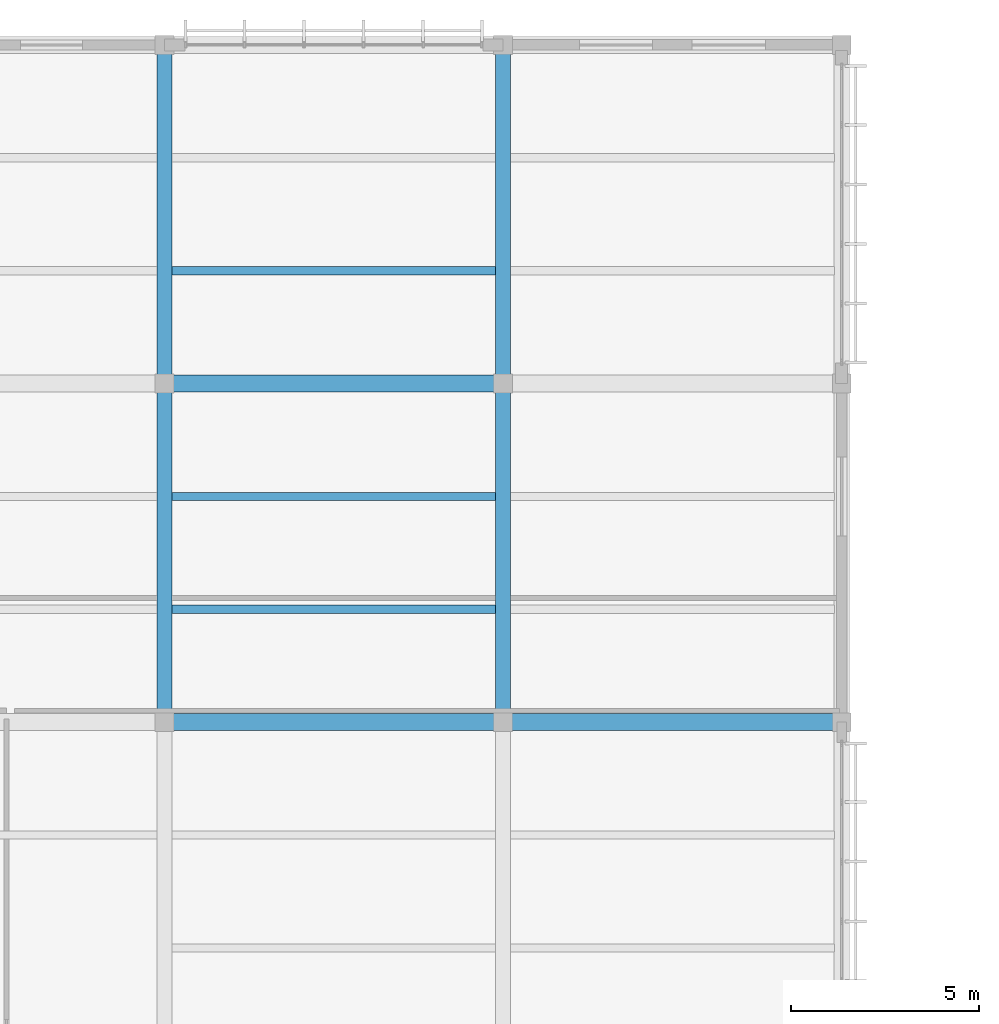
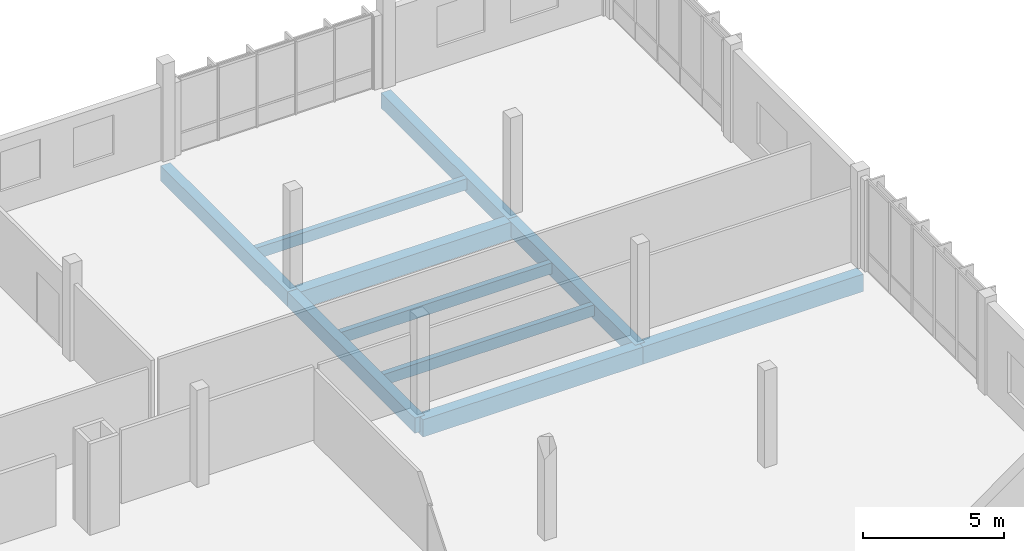
# One storey, part 122 of 182: 10 beams.
"""IFC4 building model written with IfcOpenShell, lengths in metres."""

import ifcopenshell
import ifcopenshell.guid

model = None  # the IFC model being written
_history = None  # IfcOwnerHistory: only IFC2X3 demands one
_inside = {}  # id of a spatial element -> (the spatial element, [elements in it])
_under = {}  # id of a project, library or spatial element -> (it, [spatial elements below it])
_declared = {}  # id of a project -> (the project, [libraries it declares])
_typed = {}  # id of a type object -> (the type object, [elements of that type])
_made_of = {}  # id of a material, layer set ... -> (it, [elements and type objects made of it])


def new_model(schema):
    """Start an empty IFC model of exactly this schema.

    Asked for "IFC4X3", IfcOpenShell would pick the latest addendum, in which some entities
    have other attributes; the version numbers below select the first issue.
    IFC2X3 requires an IfcOwnerHistory on every rooted entity: one is made here for all.
    """
    global model, _history
    if schema == "IFC4X3":
        model = ifcopenshell.file(schema_version=(4, 3, 0, 0))
    else:
        model = ifcopenshell.file(schema=schema)
    _inside.clear()
    _under.clear()
    _declared.clear()
    _typed.clear()
    _made_of.clear()
    _history = None
    if model.schema == "IFC2X3":
        org = make("IfcOrganization", Name="unknown")
        user = make(
            "IfcPersonAndOrganization",
            ThePerson=make("IfcPerson", FamilyName="unknown"),
            TheOrganization=org,
        )
        app = make(
            "IfcApplication",
            ApplicationDeveloper=org,
            Version="unknown",
            ApplicationFullName="unknown",
            ApplicationIdentifier="unknown",
        )
        _history = make(
            "IfcOwnerHistory",
            OwningUser=user,
            OwningApplication=app,
            ChangeAction="ADDED",
            CreationDate=0,
        )
    return model


def make(cls, **values):
    """One entity of the class cls with the attributes given. An attribute that is None is left unset."""
    return model.create_entity(
        cls, **{name: value for name, value in values.items() if value is not None}
    )


def rooted(cls, **values):
    """An entity with a GlobalId (a new one), such as an element, a storey or a relation."""
    return make(cls, GlobalId=ifcopenshell.guid.new(), OwnerHistory=_history, **values)


def si_unit(unit_type, name, prefix=None):
    """IfcSIUnit, for example si_unit("LENGTHUNIT", "METRE", prefix="MILLI")."""
    return make("IfcSIUnit", UnitType=unit_type, Prefix=prefix, Name=name)


def assignment(units):
    """IfcUnitAssignment: the units of a project."""
    return None if units is None else make("IfcUnitAssignment", Units=units)


def point(xyz):
    """IfcCartesianPoint."""
    return None if xyz is None else make("IfcCartesianPoint", Coordinates=xyz)


def direction(xyz):
    """IfcDirection."""
    return None if xyz is None else make("IfcDirection", DirectionRatios=xyz)


def frame(location, z_axis=None, x_axis=None):
    """IfcAxis2Placement3D, a coordinate frame: its origin and axes. An axis left out is left unset."""
    return make(
        "IfcAxis2Placement3D",
        Location=point(location),
        Axis=direction(z_axis),
        RefDirection=direction(x_axis),
    )


def frame_2d(location, x_axis=None):
    """IfcAxis2Placement2D, a coordinate frame in the plane: its origin and x axis."""
    return make(
        "IfcAxis2Placement2D", Location=point(location), RefDirection=direction(x_axis)
    )


def origin():
    """The frame at (0, 0, 0) with its axes left unset."""
    return frame((0.0, 0.0, 0.0))


def origin_2d():
    """The frame at (0, 0) in the plane with its x axis left unset."""
    return frame_2d((0.0, 0.0))


def place(relative_to, where):
    """IfcLocalPlacement: puts the frame where relative to a parent placement (None: the world)."""
    return make(
        "IfcLocalPlacement", PlacementRelTo=relative_to, RelativePlacement=where
    )


def context(
    kind, dimensions, precision=None, world=None, true_north=None, identifier=None
):
    """IfcGeometricRepresentationContext, for example the 3D "Model" context."""
    return make(
        "IfcGeometricRepresentationContext",
        ContextIdentifier=identifier,
        ContextType=kind,
        CoordinateSpaceDimension=dimensions,
        Precision=precision,
        WorldCoordinateSystem=world,
        TrueNorth=true_north,
    )


def subcontext(parent, identifier, kind, view, scale=None):
    """IfcGeometricRepresentationSubContext, for example "Body" below "Model"."""
    return make(
        "IfcGeometricRepresentationSubContext",
        ContextIdentifier=identifier,
        ContextType=kind,
        ParentContext=parent,
        TargetScale=scale,
        TargetView=view,
    )


def project(units=None, contexts=None):
    """IfcProject with its units and contexts."""
    return rooted(
        "IfcProject",
        Name="project",
        RepresentationContexts=contexts,
        UnitsInContext=assignment(units),
    )


def spatial(cls, under=None, at=None, **own):
    """A site, building, storey or space (cls), placed at a placement, below another one or the project."""
    s = rooted(cls, ObjectPlacement=at, **own)
    if under is not None:
        _under.setdefault(under.id(), (under, []))[1].append(s)
    return s


def profile(cls, at=None, kind="AREA", **sizes):
    """A parametric profile (cls). Its sizes go by their IFC names, for example OverallWidth=200.0."""
    return make(cls, ProfileType=kind, Position=at, **sizes)


def rectangle(**sizes):
    """IfcRectangleProfileDef."""
    return profile("IfcRectangleProfileDef", **sizes)


def extrude(swept, where, along, depth):
    """IfcExtrudedAreaSolid: the profile swept, set in the frame where, extruded along a direction by depth."""
    return make(
        "IfcExtrudedAreaSolid",
        SweptArea=swept,
        Position=where,
        ExtrudedDirection=direction(along),
        Depth=depth,
    )


def shape(context_of_items, identifier, shape_type, items):
    """IfcShapeRepresentation: the items that make up one representation, for example the "Body"."""
    return make(
        "IfcShapeRepresentation",
        ContextOfItems=context_of_items,
        RepresentationIdentifier=identifier,
        RepresentationType=shape_type,
        Items=items,
    )


def material(Name=None, Category=None):
    """IfcMaterial."""
    return make("IfcMaterial", Name=Name, Category=Category)


def material_profile(
    of_material, cross_section, Name=None, Category=None, Priority=None
):
    """IfcMaterialProfile: a cross section and its material."""
    return make(
        "IfcMaterialProfile",
        Name=Name,
        Material=of_material,
        Profile=cross_section,
        Priority=Priority,
        Category=Category,
    )


def profile_set(profiles, Name=None, composite=None):
    """IfcMaterialProfileSet."""
    return make(
        "IfcMaterialProfileSet",
        Name=Name,
        MaterialProfiles=profiles,
        CompositeProfile=composite,
    )


def made_of(thing, what):
    """Note that an element or type object is made of a material, layer set ...; save() writes the relation."""
    if what is not None:
        _made_of.setdefault(what.id(), (what, []))[1].append(thing)
    return thing


def type_object(cls, material=None, **own):
    """A type object (cls), such as IfcWallType, which elements share."""
    return made_of(rooted(cls, **own), material)


def element(
    cls,
    number,
    at=None,
    inside=None,
    cuts=None,
    type_object=None,
    material=None,
    context=None,
    identifier="Body",
    shape_type=None,
    held_by="IfcProductDefinitionShape",
    body=None,
    shapes=None,
    **own,
):
    """One element of the class cls, such as IfcWall. Its Tag is "e" and its number.

    at: its placement. inside: the storey or other place that contains it. cuts: it is an
    opening in that element (IfcRelVoidsElement). A single representation is given by context,
    identifier, shape_type and body (its items); several are given by shapes. held_by: the class
    of the entity that holds the representations. save() writes the other relations.
    """
    e = rooted(cls, Tag="e%d" % number, ObjectPlacement=at, **own)
    if body is not None:
        shapes = [shape(context, identifier, shape_type, body)]
    if shapes is not None:
        e.Representation = make(held_by, Representations=shapes)
    if inside is not None:
        _inside.setdefault(inside.id(), (inside, []))[1].append(e)
    if cuts is not None:
        rooted(
            "IfcRelVoidsElement", RelatingBuildingElement=cuts, RelatedOpeningElement=e
        )
    if type_object is not None:
        _typed.setdefault(type_object.id(), (type_object, []))[1].append(e)
    return made_of(e, material)


def aggregate(whole, parts):
    """IfcRelAggregates: a whole, such as a stair, and the parts it consists of."""
    return rooted("IfcRelAggregates", RelatingObject=whole, RelatedObjects=parts)


def save(model, path):
    """Write the relations noted so far, then the file.

    IfcRelAggregates (storeys below a building ...), IfcRelContainedInSpatialStructure (elements
    in a storey), IfcRelDefinesByType, IfcRelAssociatesMaterial and IfcRelDeclares: one each for
    every whole, place, type object, material and project.
    """
    for whole, parts in _under.values():
        aggregate(whole, parts)
    for where, things in _inside.values():
        rooted(
            "IfcRelContainedInSpatialStructure",
            RelatedElements=things,
            RelatingStructure=where,
        )
    for kind, things in _typed.values():
        rooted("IfcRelDefinesByType", RelatedObjects=things, RelatingType=kind)
    for what, things in _made_of.values():
        rooted("IfcRelAssociatesMaterial", RelatedObjects=things, RelatingMaterial=what)
    for by, libraries in _declared.values():
        rooted("IfcRelDeclares", RelatingContext=by, RelatedDefinitions=libraries)
    model.write(path)


model = new_model("IFC4")

# Units and contexts
model_context = context("Model", 3, precision=1e-05, world=origin(), true_north=direction((0.0, 1.0)))
body_context = subcontext(model_context, "Body", "Model", "MODEL_VIEW")
ifc_project = project(units=[si_unit("LENGTHUNIT", "METRE"), si_unit("AREAUNIT", "SQUARE_METRE"), si_unit("VOLUMEUNIT", "CUBIC_METRE"), si_unit("PLANEANGLEUNIT", "RADIAN"), si_unit("MASSUNIT", "GRAM", prefix="KILO")], contexts=[model_context])

# Site, building, storey
site_placement = place(None, origin())
site = spatial("IfcSite", under=ifc_project, at=site_placement, CompositionType="ELEMENT")
building_placement = place(site_placement, origin())
building = spatial("IfcBuilding", under=site, at=building_placement, Name="Chiffa Square Polytechnic", CompositionType="ELEMENT")
storey_placement = place(building_placement, frame((0.0, 0.0, 9.60009765625)))
storey = spatial("IfcBuildingStorey", under=building, at=storey_placement, Name="L02", CompositionType="ELEMENT", Elevation=9.60009765625)

# Beams
ifc_material_1 = material(Name="Concrete C35/45", Category="concrete")
ifc_material_profile_1 = material_profile(ifc_material_1, rectangle(XDim=0.39990234375, YDim=0.64990234375, at=origin_2d()), Name="RC 400x650")
ifc_profile_set_1 = profile_set([ifc_material_profile_1], Name="Concrete C35/45")
beam_type_1 = type_object("IfcBeamType", Name="BM-RC-400X650", PredefinedType="BEAM", material=ifc_profile_set_1)
for number, where, z_axis, x_axis, name in (
    (1, (130.199951171875, 112.800048828125, -0.64501953125), (0.0, 1.0, 0.0), (-1.0, 0.0, 0.0), "Primary floor girder BM-V5-L02-Y-1302-1128"),
    (2, (130.199951171875, 121.800048828125, -0.64501953125), (0.0, 1.0, 0.0), (-1.0, 0.0, 0.0), "Primary floor girder BM-V5-L02-Y-1302-1218"),
    (3, (139.199951171875, 112.800048828125, -0.64501953125), (0.0, 1.0, 0.0), (-1.0, 0.0, 0.0), "Primary floor girder BM-V5-L02-Y-1392-1128"),
    (4, (139.199951171875, 121.800048828125, -0.64501953125), (0.0, 1.0, 0.0), (-1.0, 0.0, 0.0), "Primary floor girder BM-V5-L02-Y-1392-1218"),
):
    element("IfcBeam", number, at=place(storey_placement, frame(where, z_axis=z_axis, x_axis=x_axis)), inside=storey, type_object=beam_type_1, Name=name, PredefinedType="BEAM", context=body_context, shape_type="SweptSolid", body=[
        extrude(rectangle(XDim=0.39990234375, YDim=0.64990234375, at=origin_2d()), origin(), (0.0, 0.0, 1.0), 9.0),
    ])
ifc_material_profile_2 = material_profile(ifc_material_1, rectangle(XDim=0.449951171875, YDim=0.75, at=origin_2d()), Name="RC 450x750")
ifc_profile_set_2 = profile_set([ifc_material_profile_2], Name="Concrete C35/45")
beam_type_2 = type_object("IfcBeamType", Name="BM-RC-450X750", PredefinedType="BEAM", material=ifc_profile_set_2)
for number, where, z_axis, x_axis, name in (
    (5, (130.199951171875, 112.800048828125, -0.695068359375), (1.0, 0.0, 0.0), (0.0, 1.0, 0.0), "Primary floor girder BM-V5-L02-X-1302-1128"),
    (6, (139.199951171875, 112.800048828125, -0.695068359375), (1.0, 0.0, 0.0), (0.0, 1.0, 0.0), "Primary floor girder BM-V5-L02-X-1392-1128"),
    (7, (130.199951171875, 121.800048828125, -0.695068359375), (1.0, 0.0, 0.0), (0.0, 1.0, 0.0), "Primary floor girder BM-V5-L02-X-1302-1218"),
):
    element("IfcBeam", number, at=place(storey_placement, frame(where, z_axis=z_axis, x_axis=x_axis)), inside=storey, type_object=beam_type_2, Name=name, PredefinedType="BEAM", context=body_context, shape_type="SweptSolid", body=[
        extrude(rectangle(XDim=0.449951171875, YDim=0.75, at=origin_2d()), origin(), (0.0, 0.0, 1.0), 9.0),
    ])
ifc_material_2 = material(Name="Glulam GL28h", Category="wood")
ifc_material_profile_3 = material_profile(ifc_material_2, rectangle(XDim=0.219970703125, YDim=0.47998046875, at=origin_2d()), Name="GL28h 220x480")
ifc_profile_set_3 = profile_set([ifc_material_profile_3], Name="Glulam GL28h")
beam_type_3 = type_object("IfcBeamType", Name="JST-GL-220X480", PredefinedType="JOIST", material=ifc_profile_set_3)
for number, where, z_axis, x_axis, name in (
    (8, (130.39794921875, 115.800048828125, -0.56005859375), (1.0, 0.0, 0.0), (0.0, 1.0, 0.0), "Secondary floor joist JST-V5-L02-1302-1158"),
    (9, (130.39794921875, 118.800048828125, -0.56005859375), (1.0, 0.0, 0.0), (0.0, 1.0, 0.0), "Secondary floor joist JST-V5-L02-1302-1188"),
    (10, (130.39794921875, 124.800048828125, -0.56005859375), (1.0, 0.0, 0.0), (0.0, 1.0, 0.0), "Secondary floor joist JST-V5-L02-1302-1248"),
):
    element("IfcBeam", number, at=place(storey_placement, frame(where, z_axis=z_axis, x_axis=x_axis)), inside=storey, type_object=beam_type_3, Name=name, PredefinedType="JOIST", context=body_context, shape_type="SweptSolid", body=[
        extrude(rectangle(XDim=0.219970703125, YDim=0.47998046875, at=origin_2d()), origin(), (0.0, 0.0, 1.0), 8.60400390625),
    ])

save(model, "model.ifc")
